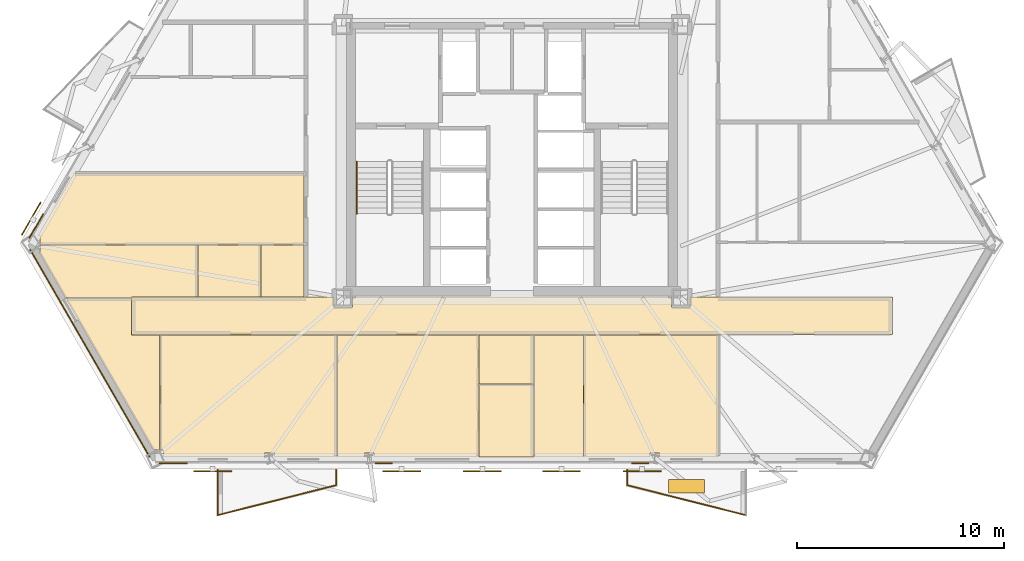
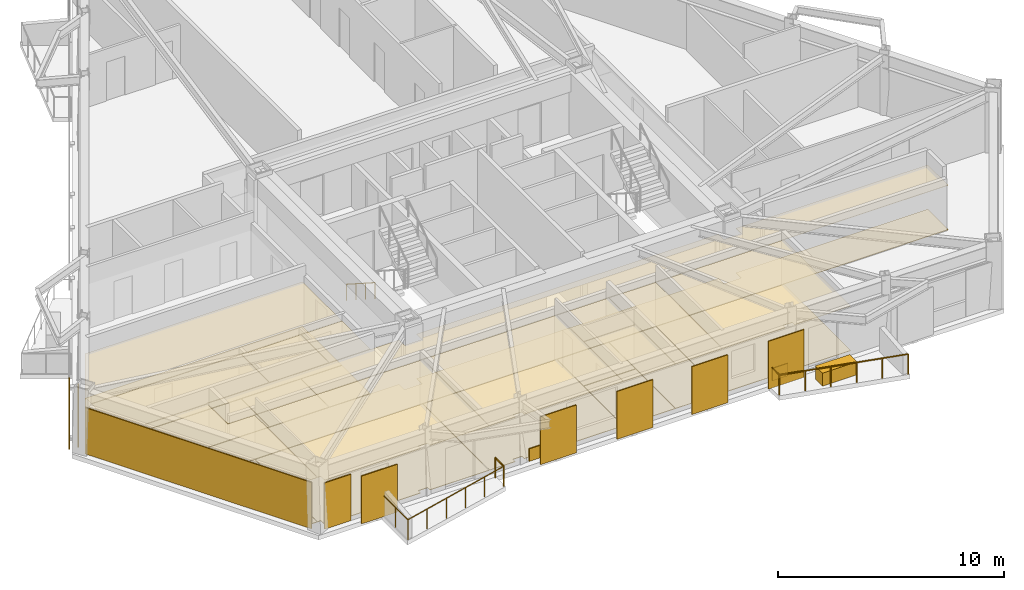
# One storey, part 7 of 10: 30 coverings, 6 railings, 6 shading devices.
"""IFC4 building model written with IfcOpenShell, lengths in metres."""

import ifcopenshell
import ifcopenshell.guid

model = None  # the IFC model being written
_history = None  # IfcOwnerHistory: only IFC2X3 demands one
_inside = {}  # id of a spatial element -> (the spatial element, [elements in it])
_under = {}  # id of a project, library or spatial element -> (it, [spatial elements below it])
_declared = {}  # id of a project -> (the project, [libraries it declares])
_typed = {}  # id of a type object -> (the type object, [elements of that type])
_made_of = {}  # id of a material, layer set ... -> (it, [elements and type objects made of it])


def new_model(schema):
    """Start an empty IFC model of exactly this schema.

    Asked for "IFC4X3", IfcOpenShell would pick the latest addendum, in which some entities
    have other attributes; the version numbers below select the first issue.
    IFC2X3 requires an IfcOwnerHistory on every rooted entity: one is made here for all.
    """
    global model, _history
    if schema == "IFC4X3":
        model = ifcopenshell.file(schema_version=(4, 3, 0, 0))
    else:
        model = ifcopenshell.file(schema=schema)
    _inside.clear()
    _under.clear()
    _declared.clear()
    _typed.clear()
    _made_of.clear()
    _history = None
    if model.schema == "IFC2X3":
        org = make("IfcOrganization", Name="unknown")
        user = make(
            "IfcPersonAndOrganization",
            ThePerson=make("IfcPerson", FamilyName="unknown"),
            TheOrganization=org,
        )
        app = make(
            "IfcApplication",
            ApplicationDeveloper=org,
            Version="unknown",
            ApplicationFullName="unknown",
            ApplicationIdentifier="unknown",
        )
        _history = make(
            "IfcOwnerHistory",
            OwningUser=user,
            OwningApplication=app,
            ChangeAction="ADDED",
            CreationDate=0,
        )
    return model


def make(cls, **values):
    """One entity of the class cls with the attributes given. An attribute that is None is left unset."""
    return model.create_entity(
        cls, **{name: value for name, value in values.items() if value is not None}
    )


def rooted(cls, **values):
    """An entity with a GlobalId (a new one), such as an element, a storey or a relation."""
    return make(cls, GlobalId=ifcopenshell.guid.new(), OwnerHistory=_history, **values)


def si_unit(unit_type, name, prefix=None):
    """IfcSIUnit, for example si_unit("LENGTHUNIT", "METRE", prefix="MILLI")."""
    return make("IfcSIUnit", UnitType=unit_type, Prefix=prefix, Name=name)


def assignment(units):
    """IfcUnitAssignment: the units of a project."""
    return None if units is None else make("IfcUnitAssignment", Units=units)


def point(xyz):
    """IfcCartesianPoint."""
    return None if xyz is None else make("IfcCartesianPoint", Coordinates=xyz)


def direction(xyz):
    """IfcDirection."""
    return None if xyz is None else make("IfcDirection", DirectionRatios=xyz)


def frame(location, z_axis=None, x_axis=None):
    """IfcAxis2Placement3D, a coordinate frame: its origin and axes. An axis left out is left unset."""
    return make(
        "IfcAxis2Placement3D",
        Location=point(location),
        Axis=direction(z_axis),
        RefDirection=direction(x_axis),
    )


def frame_2d(location, x_axis=None):
    """IfcAxis2Placement2D, a coordinate frame in the plane: its origin and x axis."""
    return make(
        "IfcAxis2Placement2D", Location=point(location), RefDirection=direction(x_axis)
    )


def origin():
    """The frame at (0, 0, 0) with its axes left unset."""
    return frame((0.0, 0.0, 0.0))


def origin_2d():
    """The frame at (0, 0) in the plane with its x axis left unset."""
    return frame_2d((0.0, 0.0))


def place(relative_to, where):
    """IfcLocalPlacement: puts the frame where relative to a parent placement (None: the world)."""
    return make(
        "IfcLocalPlacement", PlacementRelTo=relative_to, RelativePlacement=where
    )


def context(
    kind, dimensions, precision=None, world=None, true_north=None, identifier=None
):
    """IfcGeometricRepresentationContext, for example the 3D "Model" context."""
    return make(
        "IfcGeometricRepresentationContext",
        ContextIdentifier=identifier,
        ContextType=kind,
        CoordinateSpaceDimension=dimensions,
        Precision=precision,
        WorldCoordinateSystem=world,
        TrueNorth=true_north,
    )


def subcontext(parent, identifier, kind, view, scale=None):
    """IfcGeometricRepresentationSubContext, for example "Body" below "Model"."""
    return make(
        "IfcGeometricRepresentationSubContext",
        ContextIdentifier=identifier,
        ContextType=kind,
        ParentContext=parent,
        TargetScale=scale,
        TargetView=view,
    )


def project(units=None, contexts=None):
    """IfcProject with its units and contexts."""
    return rooted(
        "IfcProject",
        Name="project",
        RepresentationContexts=contexts,
        UnitsInContext=assignment(units),
    )


def spatial(cls, under=None, at=None, **own):
    """A site, building, storey or space (cls), placed at a placement, below another one or the project."""
    s = rooted(cls, ObjectPlacement=at, **own)
    if under is not None:
        _under.setdefault(under.id(), (under, []))[1].append(s)
    return s


def polyline(points):
    """IfcPolyline through the points."""
    return make("IfcPolyline", Points=[point(p) for p in points])


def profile(cls, at=None, kind="AREA", **sizes):
    """A parametric profile (cls). Its sizes go by their IFC names, for example OverallWidth=200.0."""
    return make(cls, ProfileType=kind, Position=at, **sizes)


def rectangle(**sizes):
    """IfcRectangleProfileDef."""
    return profile("IfcRectangleProfileDef", **sizes)


def circle(**sizes):
    """IfcCircleProfileDef."""
    return profile("IfcCircleProfileDef", **sizes)


def outline(outer, holes=None, kind="AREA"):
    """IfcArbitraryClosedProfileDef: a profile drawn as a closed curve; with holes, ...WithVoids."""
    if holes is None:
        return make("IfcArbitraryClosedProfileDef", ProfileType=kind, OuterCurve=outer)
    return make(
        "IfcArbitraryProfileDefWithVoids",
        ProfileType=kind,
        OuterCurve=outer,
        InnerCurves=holes,
    )


def extrude(swept, where, along, depth):
    """IfcExtrudedAreaSolid: the profile swept, set in the frame where, extruded along a direction by depth."""
    return make(
        "IfcExtrudedAreaSolid",
        SweptArea=swept,
        Position=where,
        ExtrudedDirection=direction(along),
        Depth=depth,
    )


def shape(context_of_items, identifier, shape_type, items):
    """IfcShapeRepresentation: the items that make up one representation, for example the "Body"."""
    return make(
        "IfcShapeRepresentation",
        ContextOfItems=context_of_items,
        RepresentationIdentifier=identifier,
        RepresentationType=shape_type,
        Items=items,
    )


def material(Name=None, Category=None):
    """IfcMaterial."""
    return make("IfcMaterial", Name=Name, Category=Category)


def layer(
    of_material, thickness, ventilated=None, Name=None, Category=None, Priority=None
):
    """IfcMaterialLayer: one layer of a wall or slab, of a material (None: an air gap)."""
    return make(
        "IfcMaterialLayer",
        Material=of_material,
        LayerThickness=thickness,
        IsVentilated=ventilated,
        Name=Name,
        Category=Category,
        Priority=Priority,
    )


def layer_set(layers, Name=None):
    """IfcMaterialLayerSet."""
    return make("IfcMaterialLayerSet", MaterialLayers=layers, LayerSetName=Name)


def made_of(thing, what):
    """Note that an element or type object is made of a material, layer set ...; save() writes the relation."""
    if what is not None:
        _made_of.setdefault(what.id(), (what, []))[1].append(thing)
    return thing


def type_object(cls, material=None, **own):
    """A type object (cls), such as IfcWallType, which elements share."""
    return made_of(rooted(cls, **own), material)


def element(
    cls,
    number,
    at=None,
    inside=None,
    cuts=None,
    type_object=None,
    material=None,
    context=None,
    identifier="Body",
    shape_type=None,
    held_by="IfcProductDefinitionShape",
    body=None,
    shapes=None,
    **own,
):
    """One element of the class cls, such as IfcWall. Its Tag is "e" and its number.

    at: its placement. inside: the storey or other place that contains it. cuts: it is an
    opening in that element (IfcRelVoidsElement). A single representation is given by context,
    identifier, shape_type and body (its items); several are given by shapes. held_by: the class
    of the entity that holds the representations. save() writes the other relations.
    """
    e = rooted(cls, Tag="e%d" % number, ObjectPlacement=at, **own)
    if body is not None:
        shapes = [shape(context, identifier, shape_type, body)]
    if shapes is not None:
        e.Representation = make(held_by, Representations=shapes)
    if inside is not None:
        _inside.setdefault(inside.id(), (inside, []))[1].append(e)
    if cuts is not None:
        rooted(
            "IfcRelVoidsElement", RelatingBuildingElement=cuts, RelatedOpeningElement=e
        )
    if type_object is not None:
        _typed.setdefault(type_object.id(), (type_object, []))[1].append(e)
    return made_of(e, material)


def aggregate(whole, parts):
    """IfcRelAggregates: a whole, such as a stair, and the parts it consists of."""
    return rooted("IfcRelAggregates", RelatingObject=whole, RelatedObjects=parts)


def save(model, path):
    """Write the relations noted so far, then the file.

    IfcRelAggregates (storeys below a building ...), IfcRelContainedInSpatialStructure (elements
    in a storey), IfcRelDefinesByType, IfcRelAssociatesMaterial and IfcRelDeclares: one each for
    every whole, place, type object, material and project.
    """
    for whole, parts in _under.values():
        aggregate(whole, parts)
    for where, things in _inside.values():
        rooted(
            "IfcRelContainedInSpatialStructure",
            RelatedElements=things,
            RelatingStructure=where,
        )
    for kind, things in _typed.values():
        rooted("IfcRelDefinesByType", RelatedObjects=things, RelatingType=kind)
    for what, things in _made_of.values():
        rooted("IfcRelAssociatesMaterial", RelatedObjects=things, RelatingMaterial=what)
    for by, libraries in _declared.values():
        rooted("IfcRelDeclares", RelatingContext=by, RelatedDefinitions=libraries)
    model.write(path)


model = new_model("IFC4")

# Units and contexts
model_context = context("Model", 3, precision=1e-05, world=origin(), true_north=direction((0.0, 1.0)))
body_context = subcontext(model_context, "Body", "Model", "MODEL_VIEW")
ifc_project = project(units=[si_unit("LENGTHUNIT", "METRE"), si_unit("AREAUNIT", "SQUARE_METRE"), si_unit("VOLUMEUNIT", "CUBIC_METRE"), si_unit("PLANEANGLEUNIT", "RADIAN"), si_unit("MASSUNIT", "GRAM", prefix="KILO")], contexts=[model_context])

# Site, building, storey
site_placement = place(None, origin())
site = spatial("IfcSite", under=ifc_project, at=site_placement, CompositionType="ELEMENT")
building_placement = place(site_placement, origin())
building = spatial("IfcBuilding", under=site, at=building_placement, Name="Oramaril Tower", CompositionType="ELEMENT")
storey_placement = place(building_placement, frame((0.0, 0.0, 96.89990234375)))
storey = spatial("IfcBuildingStorey", under=building, at=storey_placement, Name="L25", CompositionType="ELEMENT", Elevation=96.89990234375)

# Coverings
ifc_material_1 = material(Name="Mineral Fibre Acoustic Ceiling")
ifc_layer_1 = layer(ifc_material_1, 0.02001953125)
ifc_layer_set_1 = layer_set([ifc_layer_1], Name="CVT-CEIL")
covering_type_1 = type_object("IfcCoveringType", Name="CVT-CEIL", PredefinedType="CEILING", material=ifc_layer_set_1)
covering_1_placement = place(storey_placement, frame((0.0, 0.0, 2.400146484375)))
element("IfcCovering", 1, at=covering_1_placement, inside=storey, type_object=covering_type_1, Name="L25 Acoustic Suspended Ceiling 1", PredefinedType="CEILING", context=body_context, shape_type="SweptSolid", body=[
    extrude(outline(polyline([(28.905029296875, 10.554931640625), (29.794921875, 10.554931640625), (29.794921875, 11.030029296875), (45.205078125, 11.030029296875), (45.205078125, 10.554931640625), (46.094970703125, 10.554931640625), (46.094970703125, 11.030029296875), (55.8798828125, 11.030029296875), (55.8798828125, 9.219970703125), (19.1201171875, 9.219970703125), (19.1201171875, 11.030029296875), (28.905029296875, 11.030029296875), (28.905029296875, 10.554931640625)])), origin(), (0.0, 0.0, 1.0), 0.02001953125),
])
covering_2_placement = place(storey_placement, frame((0.0, 0.0, 2.400146484375)))
element("IfcCovering", 2, at=covering_2_placement, inside=storey, type_object=covering_type_1, Name="L25 Acoustic Suspended Ceiling 5", PredefinedType="CEILING", context=body_context, shape_type="SweptSolid", body=[
    extrude(outline(polyline([(26.014404296875, 3.50927734375), (25.54150390625, 3.50927734375), (25.54150390625, 3.306640625), (20.651611328125, 3.306640625), (20.651611328125, 3.65625), (20.49462890625, 3.65625), (20.49462890625, 9.199951171875), (29.0419921875, 9.199951171875), (29.0419921875, 3.306640625), (26.014404296875, 3.306640625), (26.014404296875, 3.50927734375)])), origin(), (0.0, 0.0, 1.0), 0.02001953125),
])
covering_3_placement = place(storey_placement, frame((0.0, 0.0, 2.400146484375)))
element("IfcCovering", 3, at=covering_3_placement, inside=storey, type_object=covering_type_1, Name="L25 Acoustic Suspended Ceiling 6", PredefinedType="CEILING", context=body_context, shape_type="SweptSolid", body=[
    extrude(outline(polyline([(20.141845703125, 3.65625), (15.90673828125, 10.991943359375), (19.10009765625, 10.991943359375), (19.10009765625, 9.219970703125), (19.10009765625, 9.218017578125), (19.100341796875, 9.216064453125), (19.100830078125, 9.214111328125), (19.1015625, 9.21240234375), (19.102294921875, 9.210693359375), (19.103515625, 9.208984375), (19.1044921875, 9.207275390625), (19.10595703125, 9.205810546875), (19.107421875, 9.20458984375), (19.10888671875, 9.203369140625), (19.110595703125, 9.202392578125), (19.1123046875, 9.201416015625), (19.1142578125, 9.200927734375), (19.1162109375, 9.200439453125), (19.117919921875, 9.2001953125), (19.1201171875, 9.199951171875), (20.474609375, 9.199951171875), (20.474609375, 3.65625), (20.141845703125, 3.65625)])), origin(), (0.0, 0.0, 1.0), 0.02001953125),
])
covering_4_placement = place(storey_placement, frame((0.0, 0.0, 2.400146484375)))
element("IfcCovering", 4, at=covering_4_placement, inside=storey, type_object=covering_type_1, Name="L25 Acoustic Suspended Ceiling 7", PredefinedType="CEILING", context=body_context, shape_type="SweptSolid", body=[
    extrude(outline(polyline([(35.882080078125, 3.306640625), (30.835693359375, 3.306640625), (30.835693359375, 3.50927734375), (30.373779296875, 3.50927734375), (30.373779296875, 3.306640625), (29.06201171875, 3.306640625), (29.06201171875, 9.199951171875), (35.882080078125, 9.199951171875), (35.882080078125, 3.306640625)])), origin(), (0.0, 0.0, 1.0), 0.02001953125),
])
covering_5_placement = place(storey_placement, frame((0.0, 0.0, 2.400146484375)))
element("IfcCovering", 5, at=covering_5_placement, inside=storey, type_object=covering_type_1, Name="L25 Acoustic Suspended Ceiling 8", PredefinedType="CEILING", context=body_context, shape_type="SweptSolid", body=[
    extrude(outline(polyline([(38.5419921875, 6.822021484375), (38.5419921875, 3.306640625), (35.902099609375, 3.306640625), (35.902099609375, 6.822021484375), (38.5419921875, 6.822021484375)])), origin(), (0.0, 0.0, 1.0), 0.02001953125),
])
covering_6_placement = place(storey_placement, frame((0.0, 0.0, 2.400146484375)))
element("IfcCovering", 6, at=covering_6_placement, inside=storey, type_object=covering_type_1, Name="L25 Acoustic Suspended Ceiling 9", PredefinedType="CEILING", context=body_context, shape_type="SweptSolid", body=[
    extrude(outline(polyline([(38.5419921875, 6.842041015625), (35.902099609375, 6.842041015625), (35.902099609375, 9.199951171875), (38.5419921875, 9.199951171875), (38.5419921875, 6.842041015625)])), origin(), (0.0, 0.0, 1.0), 0.02001953125),
])
covering_7_placement = place(storey_placement, frame((0.0, 0.0, 2.400146484375)))
element("IfcCovering", 7, at=covering_7_placement, inside=storey, type_object=covering_type_1, Name="L25 Acoustic Suspended Ceiling 10", PredefinedType="CEILING", context=body_context, shape_type="SweptSolid", body=[
    extrude(outline(polyline([(44.626220703125, 3.50927734375), (44.164306640625, 3.50927734375), (44.164306640625, 3.306640625), (40.964111328125, 3.306640625), (40.964111328125, 9.199951171875), (47.491943359375, 9.199951171875), (47.491943359375, 3.306640625), (44.626220703125, 3.306640625), (44.626220703125, 3.50927734375)])), origin(), (0.0, 0.0, 1.0), 0.02001953125),
])
covering_8_placement = place(storey_placement, frame((0.0, 0.0, 2.400146484375)))
element("IfcCovering", 8, at=covering_8_placement, inside=storey, type_object=covering_type_1, Name="L25 Acoustic Suspended Ceiling 11", PredefinedType="CEILING", context=body_context, shape_type="SweptSolid", body=[
    extrude(outline(polyline([(38.56201171875, 3.306640625), (38.56201171875, 6.822021484375), (38.56201171875, 6.823974609375), (38.5615234375, 6.825927734375), (38.56103515625, 6.827880859375), (38.560546875, 6.82958984375), (38.5595703125, 6.831298828125), (38.559326171875, 6.83203125), (38.5595703125, 6.83251953125), (38.560546875, 6.834228515625), (38.56103515625, 6.836181640625), (38.5615234375, 6.838134765625), (38.56201171875, 6.840087890625), (38.56201171875, 6.842041015625), (38.56201171875, 9.199951171875), (40.944091796875, 9.199951171875), (40.944091796875, 3.306640625), (38.56201171875, 3.306640625)])), origin(), (0.0, 0.0, 1.0), 0.02001953125),
])
covering_9_placement = place(storey_placement, frame((0.0, 0.0, 2.400146484375)))
element("IfcCovering", 9, at=covering_9_placement, inside=storey, type_object=covering_type_1, Name="L25 Acoustic Suspended Ceiling 12", PredefinedType="CEILING", context=body_context, shape_type="SweptSolid", body=[
    extrude(outline(polyline([(27.449951171875, 17.0419921875), (27.449951171875, 13.570068359375), (14.6796875, 13.570068359375), (14.6796875, 14.009033203125), (14.59228515625, 14.009033203125), (16.34326171875, 17.0419921875), (27.449951171875, 17.0419921875)])), origin(), (0.0, 0.0, 1.0), 0.02001953125),
])
covering_10_placement = place(storey_placement, frame((0.0, 0.0, 2.400146484375)))
element("IfcCovering", 10, at=covering_10_placement, inside=storey, type_object=covering_type_1, Name="L25 Acoustic Suspended Ceiling 13", PredefinedType="CEILING", context=body_context, shape_type="SweptSolid", body=[
    extrude(outline(polyline([(14.6796875, 13.190673828125), (14.6796875, 13.550048828125), (22.294921875, 13.550048828125), (22.294921875, 11.050048828125), (19.1201171875, 11.050048828125), (19.117919921875, 11.0498046875), (19.1162109375, 11.049560546875), (19.1142578125, 11.049072265625), (19.1123046875, 11.048583984375), (19.110595703125, 11.047607421875), (19.10888671875, 11.046630859375), (19.107421875, 11.04541015625), (19.10595703125, 11.044189453125), (19.1044921875, 11.042724609375), (19.103515625, 11.041015625), (19.102294921875, 11.039306640625), (19.1015625, 11.03759765625), (19.100830078125, 11.035888671875), (19.100341796875, 11.033935546875), (19.10009765625, 11.031982421875), (19.10009765625, 11.030029296875), (19.10009765625, 11.011962890625), (15.90673828125, 11.011962890625), (15.90478515625, 11.011962890625), (15.90283203125, 11.01171875), (15.90087890625, 11.010986328125), (15.89892578125, 11.010498046875), (15.897216796875, 11.009521484375), (15.896728515625, 11.00927734375), (14.637451171875, 13.190673828125), (14.6796875, 13.190673828125)])), origin(), (0.0, 0.0, 1.0), 0.02001953125),
])
covering_11_placement = place(storey_placement, frame((0.0, 0.0, 2.400146484375)))
element("IfcCovering", 11, at=covering_11_placement, inside=storey, type_object=covering_type_1, Name="L25 Acoustic Suspended Ceiling 14", PredefinedType="CEILING", context=body_context, shape_type="SweptSolid", body=[
    extrude(outline(polyline([(25.344970703125, 11.050048828125), (22.31494140625, 11.050048828125), (22.31494140625, 13.550048828125), (25.344970703125, 13.550048828125), (25.344970703125, 11.050048828125)])), origin(), (0.0, 0.0, 1.0), 0.02001953125),
])
covering_12_placement = place(storey_placement, frame((0.0, 0.0, 2.400146484375)))
element("IfcCovering", 12, at=covering_12_placement, inside=storey, type_object=covering_type_1, Name="L25 Acoustic Suspended Ceiling 15", PredefinedType="CEILING", context=body_context, shape_type="SweptSolid", body=[
    extrude(outline(polyline([(25.364990234375, 13.550048828125), (27.449951171875, 13.550048828125), (27.449951171875, 11.050048828125), (25.364990234375, 11.050048828125), (25.364990234375, 13.550048828125)])), origin(), (0.0, 0.0, 1.0), 0.02001953125),
])
ifc_material_2 = material(Name="Warm Cream Limestone", Category="masonry")
ifc_layer_2 = layer(ifc_material_2, 0.050048828125)
ifc_layer_set_2 = layer_set([ifc_layer_2], Name="CVT-CLD")
covering_type_2 = type_object("IfcCoveringType", Name="CVT-CLD", PredefinedType="CLADDING", material=ifc_layer_set_2)
covering_13_placement = place(storey_placement, frame((17.1005859375, 8.322509765625, 0.0400390625), z_axis=(0.0, 0.0, 1.0), x_axis=(0.499992442484, -0.866029767075, 0.0)))
element("IfcCovering", 13, at=covering_13_placement, inside=storey, type_object=covering_type_2, Name="L25 Warm Cream Limestone Cladding", PredefinedType="CLADDING", context=body_context, shape_type="SweptSolid", body=[
    extrude(rectangle(XDim=11.5556640625, YDim=0.050048828125, at=origin_2d()), origin(), (0.0, 0.0, 1.0), 2.498046875),
])
covering_14_placement = place(storey_placement, frame((21.131591796875, 3.005615234375, 0.0400390625), z_axis=(0.0, 0.0, 1.0), x_axis=(1.0, 0.0, 0.0)))
element("IfcCovering", 14, at=covering_14_placement, inside=storey, type_object=covering_type_2, Name="L25 Warm Cream Limestone Cladding", PredefinedType="CLADDING", context=body_context, shape_type="SweptSolid", body=[
    extrude(rectangle(XDim=1.35009765625, YDim=0.050048828125, at=origin_2d()), origin(), (0.0, 0.0, 1.0), 2.498046875),
])
for number, where, z_axis, x_axis, name in (
    (15, (31.30126953125, 3.005615234375, 0.0400390625), (0.0, 0.0, 1.0), (1.0, 0.0, 0.0), "L25 Warm Cream Limestone Spandrel Cladding"),
    (16, (43.69873046875, 3.005615234375, 0.0400390625), (0.0, 0.0, 1.0), (1.0, 0.0, 0.0), "L25 Warm Cream Limestone Spandrel Cladding"),
):
    element("IfcCovering", number, at=place(storey_placement, frame(where, z_axis=z_axis, x_axis=x_axis)), inside=storey, type_object=covering_type_2, Name=name, PredefinedType="CLADDING", context=body_context, shape_type="SweptSolid", body=[
        extrude(rectangle(XDim=0.800048828125, YDim=0.050048828125, at=origin_2d()), origin(), (0.0, 0.0, 1.0), 0.679931640625),
    ])
covering_15_placement = place(storey_placement, frame((14.51171875, 14.4716796875, 0.0400390625), z_axis=(0.0, 0.0, 1.0), x_axis=(-0.5, -0.866025403784, 0.0)))
element("IfcCovering", 17, at=covering_15_placement, inside=storey, type_object=covering_type_2, Name="L25 Warm Cream Limestone Cladding", PredefinedType="CLADDING", context=body_context, shape_type="SweptSolid", body=[
    extrude(rectangle(XDim=1.35009765625, YDim=0.050048828125, at=origin_2d()), origin(), (0.0, 0.0, 1.0), 2.498046875),
])
covering_16_placement = place(storey_placement, frame((45.93408203125, 1.902099609375, 0.0), z_axis=(0.0, 0.0, 1.0), x_axis=(1.0, 0.0, 0.0)))
element("IfcCovering", 18, at=covering_16_placement, inside=storey, type_object=covering_type_2, Name="L25 Structural Tree Planter Box L25-BAL-S2", PredefinedType="CLADDING", context=body_context, shape_type="SweptSolid", body=[
    extrude(rectangle(XDim=1.75, YDim=0.64990234375, at=origin_2d()), origin(), (0.0, 0.0, 1.0), 0.699951171875),
])
ifc_material_3 = material(Name="Honed Quartzite Stone Flooring", Category="masonry")
ifc_layer_3 = layer(ifc_material_3, 0.02490234375)
ifc_layer_set_3 = layer_set([ifc_layer_3], Name="CVT-FLR")
covering_type_3 = type_object("IfcCoveringType", Name="CVT-FLR", PredefinedType="FLOORING", material=ifc_layer_set_3)
covering_17_placement = place(storey_placement, origin())
element("IfcCovering", 19, at=covering_17_placement, inside=storey, type_object=covering_type_3, Name="L25 Honed Stone Floor Finish 1", PredefinedType="FLOORING", context=body_context, shape_type="SweptSolid", body=[
    extrude(outline(polyline([(28.905029296875, 10.554931640625), (29.794921875, 10.554931640625), (29.794921875, 11.030029296875), (45.205078125, 11.030029296875), (45.205078125, 10.554931640625), (46.094970703125, 10.554931640625), (46.094970703125, 11.030029296875), (55.8798828125, 11.030029296875), (55.8798828125, 9.219970703125), (19.1201171875, 9.219970703125), (19.1201171875, 11.030029296875), (28.905029296875, 11.030029296875), (28.905029296875, 10.554931640625)])), origin(), (0.0, 0.0, 1.0), 0.025146484375),
])
covering_18_placement = place(storey_placement, origin())
element("IfcCovering", 20, at=covering_18_placement, inside=storey, type_object=covering_type_3, Name="L25 Honed Stone Floor Finish 5", PredefinedType="FLOORING", context=body_context, shape_type="SweptSolid", body=[
    extrude(outline(polyline([(26.014404296875, 3.50927734375), (25.54150390625, 3.50927734375), (25.54150390625, 3.306640625), (20.651611328125, 3.306640625), (20.651611328125, 3.65625), (20.49462890625, 3.65625), (20.49462890625, 9.199951171875), (29.0419921875, 9.199951171875), (29.0419921875, 3.306640625), (26.014404296875, 3.306640625), (26.014404296875, 3.50927734375)])), origin(), (0.0, 0.0, 1.0), 0.025146484375),
])
covering_19_placement = place(storey_placement, origin())
element("IfcCovering", 21, at=covering_19_placement, inside=storey, type_object=covering_type_3, Name="L25 Honed Stone Floor Finish 6", PredefinedType="FLOORING", context=body_context, shape_type="SweptSolid", body=[
    extrude(outline(polyline([(20.141845703125, 3.65625), (15.90673828125, 10.991943359375), (19.10009765625, 10.991943359375), (19.10009765625, 9.219970703125), (19.10009765625, 9.218017578125), (19.100341796875, 9.216064453125), (19.100830078125, 9.214111328125), (19.1015625, 9.21240234375), (19.102294921875, 9.210693359375), (19.103515625, 9.208984375), (19.1044921875, 9.207275390625), (19.10595703125, 9.205810546875), (19.107421875, 9.20458984375), (19.10888671875, 9.203369140625), (19.110595703125, 9.202392578125), (19.1123046875, 9.201416015625), (19.1142578125, 9.200927734375), (19.1162109375, 9.200439453125), (19.117919921875, 9.2001953125), (19.1201171875, 9.199951171875), (20.474609375, 9.199951171875), (20.474609375, 3.65625), (20.141845703125, 3.65625)])), origin(), (0.0, 0.0, 1.0), 0.025146484375),
])
covering_20_placement = place(storey_placement, origin())
element("IfcCovering", 22, at=covering_20_placement, inside=storey, type_object=covering_type_3, Name="L25 Honed Stone Floor Finish 7", PredefinedType="FLOORING", context=body_context, shape_type="SweptSolid", body=[
    extrude(outline(polyline([(35.882080078125, 3.306640625), (30.835693359375, 3.306640625), (30.835693359375, 3.50927734375), (30.373779296875, 3.50927734375), (30.373779296875, 3.306640625), (29.06201171875, 3.306640625), (29.06201171875, 9.199951171875), (35.882080078125, 9.199951171875), (35.882080078125, 3.306640625)])), origin(), (0.0, 0.0, 1.0), 0.025146484375),
])
covering_21_placement = place(storey_placement, origin())
element("IfcCovering", 23, at=covering_21_placement, inside=storey, type_object=covering_type_3, Name="L25 Honed Stone Floor Finish 8", PredefinedType="FLOORING", context=body_context, shape_type="SweptSolid", body=[
    extrude(outline(polyline([(38.5419921875, 6.822021484375), (38.5419921875, 3.306640625), (35.902099609375, 3.306640625), (35.902099609375, 6.822021484375), (38.5419921875, 6.822021484375)])), origin(), (0.0, 0.0, 1.0), 0.025146484375),
])
covering_22_placement = place(storey_placement, origin())
element("IfcCovering", 24, at=covering_22_placement, inside=storey, type_object=covering_type_3, Name="L25 Honed Stone Floor Finish 9", PredefinedType="FLOORING", context=body_context, shape_type="SweptSolid", body=[
    extrude(outline(polyline([(38.5419921875, 6.842041015625), (35.902099609375, 6.842041015625), (35.902099609375, 9.199951171875), (38.5419921875, 9.199951171875), (38.5419921875, 6.842041015625)])), origin(), (0.0, 0.0, 1.0), 0.025146484375),
])
covering_23_placement = place(storey_placement, origin())
element("IfcCovering", 25, at=covering_23_placement, inside=storey, type_object=covering_type_3, Name="L25 Honed Stone Floor Finish 10", PredefinedType="FLOORING", context=body_context, shape_type="SweptSolid", body=[
    extrude(outline(polyline([(44.626220703125, 3.50927734375), (44.164306640625, 3.50927734375), (44.164306640625, 3.306640625), (40.964111328125, 3.306640625), (40.964111328125, 9.199951171875), (47.491943359375, 9.199951171875), (47.491943359375, 3.306640625), (44.626220703125, 3.306640625), (44.626220703125, 3.50927734375)])), origin(), (0.0, 0.0, 1.0), 0.025146484375),
])
covering_24_placement = place(storey_placement, origin())
element("IfcCovering", 26, at=covering_24_placement, inside=storey, type_object=covering_type_3, Name="L25 Honed Stone Floor Finish 11", PredefinedType="FLOORING", context=body_context, shape_type="SweptSolid", body=[
    extrude(outline(polyline([(38.56201171875, 3.306640625), (38.56201171875, 6.822021484375), (38.56201171875, 6.823974609375), (38.5615234375, 6.825927734375), (38.56103515625, 6.827880859375), (38.560546875, 6.82958984375), (38.5595703125, 6.831298828125), (38.559326171875, 6.83203125), (38.5595703125, 6.83251953125), (38.560546875, 6.834228515625), (38.56103515625, 6.836181640625), (38.5615234375, 6.838134765625), (38.56201171875, 6.840087890625), (38.56201171875, 6.842041015625), (38.56201171875, 9.199951171875), (40.944091796875, 9.199951171875), (40.944091796875, 3.306640625), (38.56201171875, 3.306640625)])), origin(), (0.0, 0.0, 1.0), 0.025146484375),
])
covering_25_placement = place(storey_placement, origin())
element("IfcCovering", 27, at=covering_25_placement, inside=storey, type_object=covering_type_3, Name="L25 Honed Stone Floor Finish 12", PredefinedType="FLOORING", context=body_context, shape_type="SweptSolid", body=[
    extrude(outline(polyline([(27.449951171875, 17.0419921875), (27.449951171875, 13.570068359375), (14.6796875, 13.570068359375), (14.6796875, 14.009033203125), (14.59228515625, 14.009033203125), (16.34326171875, 17.0419921875), (27.449951171875, 17.0419921875)])), origin(), (0.0, 0.0, 1.0), 0.025146484375),
])
covering_26_placement = place(storey_placement, origin())
element("IfcCovering", 28, at=covering_26_placement, inside=storey, type_object=covering_type_3, Name="L25 Honed Stone Floor Finish 13", PredefinedType="FLOORING", context=body_context, shape_type="SweptSolid", body=[
    extrude(outline(polyline([(14.6796875, 13.190673828125), (14.6796875, 13.550048828125), (22.294921875, 13.550048828125), (22.294921875, 11.050048828125), (19.1201171875, 11.050048828125), (19.117919921875, 11.0498046875), (19.1162109375, 11.049560546875), (19.1142578125, 11.049072265625), (19.1123046875, 11.048583984375), (19.110595703125, 11.047607421875), (19.10888671875, 11.046630859375), (19.107421875, 11.04541015625), (19.10595703125, 11.044189453125), (19.1044921875, 11.042724609375), (19.103515625, 11.041015625), (19.102294921875, 11.039306640625), (19.1015625, 11.03759765625), (19.100830078125, 11.035888671875), (19.100341796875, 11.033935546875), (19.10009765625, 11.031982421875), (19.10009765625, 11.030029296875), (19.10009765625, 11.011962890625), (15.90673828125, 11.011962890625), (15.90478515625, 11.011962890625), (15.90283203125, 11.01171875), (15.90087890625, 11.010986328125), (15.89892578125, 11.010498046875), (15.897216796875, 11.009521484375), (15.896728515625, 11.00927734375), (14.637451171875, 13.190673828125), (14.6796875, 13.190673828125)])), origin(), (0.0, 0.0, 1.0), 0.025146484375),
])
covering_27_placement = place(storey_placement, origin())
element("IfcCovering", 29, at=covering_27_placement, inside=storey, type_object=covering_type_3, Name="L25 Honed Stone Floor Finish 14", PredefinedType="FLOORING", context=body_context, shape_type="SweptSolid", body=[
    extrude(outline(polyline([(25.344970703125, 11.050048828125), (22.31494140625, 11.050048828125), (22.31494140625, 13.550048828125), (25.344970703125, 13.550048828125), (25.344970703125, 11.050048828125)])), origin(), (0.0, 0.0, 1.0), 0.025146484375),
])
covering_28_placement = place(storey_placement, origin())
element("IfcCovering", 30, at=covering_28_placement, inside=storey, type_object=covering_type_3, Name="L25 Honed Stone Floor Finish 15", PredefinedType="FLOORING", context=body_context, shape_type="SweptSolid", body=[
    extrude(outline(polyline([(25.364990234375, 13.550048828125), (27.449951171875, 13.550048828125), (27.449951171875, 11.050048828125), (25.364990234375, 11.050048828125), (25.364990234375, 13.550048828125)])), origin(), (0.0, 0.0, 1.0), 0.025146484375),
])

# Railings
ifc_material_4 = material(Name="Stainless Steel 316L", Category="steel")
railing_type_1 = type_object("IfcRailingType", Name="RLT-GRD", PredefinedType="GUARDRAIL", material=ifc_material_4)
railing_1_placement = place(storey_placement, frame((29.005859375, 2.690673828125, 0.0)))
element("IfcRailing", 31, at=railing_1_placement, inside=storey, type_object=railing_type_1, Name="L25 Balcony Guardrail L25-BAL-S1.1", PredefinedType="GUARDRAIL", context=body_context, shape_type="SweptSolid", body=[
    extrude(circle(Radius=0.02392578125, at=origin_2d()), frame((0.0, 0.0, 1.076171875), z_axis=(0.0, -1.0, 0.0), x_axis=(1.0, 0.0, 0.0)), (0.0, 0.0, 1.0), 0.7421875),
    extrude(circle(Radius=0.02099609375, at=origin_2d()), origin(), (0.0, 0.0, 1.0), 1.052001953125),
    extrude(circle(Radius=0.02099609375, at=origin_2d()), frame((0.0, -0.7421875, 0.0)), (0.0, 0.0, 1.0), 1.052001953125),
])
railing_2_placement = place(storey_placement, frame((29.005859375, 1.948486328125, 0.0)))
element("IfcRailing", 32, at=railing_2_placement, inside=storey, type_object=railing_type_1, Name="L25 Balcony Guardrail L25-BAL-S1.2", PredefinedType="GUARDRAIL", context=body_context, shape_type="SweptSolid", body=[
    extrude(circle(Radius=0.02392578125, at=origin_2d()), frame((0.0, 0.0, 1.076171875), z_axis=(-0.969443611257, -0.245314256807, 0.0), x_axis=(0.245314256807, -0.969443611257, 0.0)), (0.0, 0.0, 1.0), 5.91064453125),
    extrude(circle(Radius=0.02099609375, at=origin_2d()), origin(), (0.0, 0.0, 1.0), 1.052001953125),
    extrude(circle(Radius=0.02099609375, at=origin_2d()), frame((-1.14599609375, -0.2900390625, 0.0)), (0.0, 0.0, 1.0), 1.052001953125),
    extrude(circle(Radius=0.02099609375, at=origin_2d()), frame((-2.2919921875, -0.580078125, 0.0)), (0.0, 0.0, 1.0), 1.052001953125),
    extrude(circle(Radius=0.02099609375, at=origin_2d()), frame((-3.43798828125, -0.869873046875, 0.0)), (0.0, 0.0, 1.0), 1.052001953125),
    extrude(circle(Radius=0.02099609375, at=origin_2d()), frame((-4.583984375, -1.159912109375, 0.0)), (0.0, 0.0, 1.0), 1.052001953125),
    extrude(circle(Radius=0.02099609375, at=origin_2d()), frame((-5.72998046875, -1.449951171875, 0.0)), (0.0, 0.0, 1.0), 1.052001953125),
])
railing_3_placement = place(storey_placement, frame((23.27587890625, 0.49853515625, 0.0)))
element("IfcRailing", 33, at=railing_3_placement, inside=storey, type_object=railing_type_1, Name="L25 Balcony Guardrail L25-BAL-S1.3", PredefinedType="GUARDRAIL", context=body_context, shape_type="SweptSolid", body=[
    extrude(circle(Radius=0.02392578125, at=origin_2d()), frame((0.0, 0.0, 1.076171875), z_axis=(0.0, 1.0, 0.0), x_axis=(-1.0, 0.0, 0.0)), (0.0, 0.0, 1.0), 2.192138671875),
    extrude(circle(Radius=0.02099609375, at=origin_2d()), origin(), (0.0, 0.0, 1.0), 1.052001953125),
    extrude(circle(Radius=0.02099609375, at=origin_2d()), frame((0.0, 1.09619140625, 0.0)), (0.0, 0.0, 1.0), 1.052001953125),
    extrude(circle(Radius=0.02099609375, at=origin_2d()), frame((0.0, 2.192138671875, 0.0)), (0.0, 0.0, 1.0), 1.052001953125),
])
railing_4_placement = place(storey_placement, frame((48.799072265625, 0.49853515625, 0.0)))
element("IfcRailing", 34, at=railing_4_placement, inside=storey, type_object=railing_type_1, Name="L25 Balcony Guardrail L25-BAL-S2.2", PredefinedType="GUARDRAIL", context=body_context, shape_type="SweptSolid", body=[
    extrude(circle(Radius=0.02392578125, at=origin_2d()), frame((0.0, 0.0, 1.076171875), z_axis=(-0.969443611257, 0.245314256807, 0.0), x_axis=(-0.245314256807, -0.969443611257, 0.0)), (0.0, 0.0, 1.0), 5.91064453125),
    extrude(circle(Radius=0.02099609375, at=origin_2d()), origin(), (0.0, 0.0, 1.0), 1.052001953125),
    extrude(circle(Radius=0.02099609375, at=origin_2d()), frame((-1.14599609375, 0.2900390625, 0.0)), (0.0, 0.0, 1.0), 1.052001953125),
    extrude(circle(Radius=0.02099609375, at=origin_2d()), frame((-2.2919921875, 0.580078125, 0.0)), (0.0, 0.0, 1.0), 1.052001953125),
    extrude(circle(Radius=0.02099609375, at=origin_2d()), frame((-3.43798828125, 0.869873046875, 0.0)), (0.0, 0.0, 1.0), 1.052001953125),
    extrude(circle(Radius=0.02099609375, at=origin_2d()), frame((-4.583984375, 1.159912109375, 0.0)), (0.0, 0.0, 1.0), 1.052001953125),
    extrude(circle(Radius=0.02099609375, at=origin_2d()), frame((-5.72998046875, 1.449951171875, 0.0)), (0.0, 0.0, 1.0), 1.052001953125),
])
railing_5_placement = place(storey_placement, frame((43.069091796875, 1.948486328125, 0.0)))
element("IfcRailing", 35, at=railing_5_placement, inside=storey, type_object=railing_type_1, Name="L25 Balcony Guardrail L25-BAL-S2.3", PredefinedType="GUARDRAIL", context=body_context, shape_type="SweptSolid", body=[
    extrude(circle(Radius=0.02392578125, at=origin_2d()), frame((0.0, 0.0, 1.076171875), z_axis=(0.0, 1.0, 0.0), x_axis=(-1.0, 0.0, 0.0)), (0.0, 0.0, 1.0), 0.7421875),
    extrude(circle(Radius=0.02099609375, at=origin_2d()), origin(), (0.0, 0.0, 1.0), 1.052001953125),
    extrude(circle(Radius=0.02099609375, at=origin_2d()), frame((0.0, 0.7421875, 0.0)), (0.0, 0.0, 1.0), 1.052001953125),
])
ifc_material_5 = material(Name="Stainless Steel 316L", Category="steel")
railing_type_2 = type_object("IfcRailingType", Name="RLT-HND", PredefinedType="HANDRAIL", material=ifc_material_5)
railing_6_placement = place(storey_placement, frame((30.0, 17.590087890625, 0.18017578125)))
element("IfcRailing", 36, at=railing_6_placement, inside=storey, type_object=railing_type_2, Name="L25 ST-1 stair handrail 1", PredefinedType="HANDRAIL", context=body_context, shape_type="SweptSolid", body=[
    extrude(circle(Radius=0.02392578125, at=origin_2d()), frame((0.0, 0.0, 0.8759765625), z_axis=(0.0, -0.841199657755, 0.540724639528), x_axis=(1.0, 0.0, 0.0)), (0.0, 0.0, 1.0), 2.995849609375),
    extrude(circle(Radius=0.02099609375, at=origin_2d()), origin(), (0.0, 0.0, 1.0), 0.851806640625),
    extrude(circle(Radius=0.02099609375, at=origin_2d()), frame((0.0, -0.840087890625, 0.5400390625)), (0.0, 0.0, 1.0), 0.851806640625),
    extrude(circle(Radius=0.02099609375, at=origin_2d()), frame((0.0, -1.679931640625, 1.079833984375)), (0.0, 0.0, 1.0), 0.851806640625),
    extrude(circle(Radius=0.02099609375, at=origin_2d()), frame((0.0, -2.52001953125, 1.619873046875)), (0.0, 0.0, 1.0), 0.851806640625),
])

# Shading devices
for number, where, z_axis, x_axis, name in (
    (37, (23.03662109375, 2.61865234375, -0.02001953125), (0.0, 0.0, 1.0), (1.0, 0.0, 0.0), "L25 Perforated Ceramic Solar Screen"),
    (38, (32.167236328125, 2.61865234375, -0.02001953125), (0.0, 0.0, 1.0), (1.0, 0.0, 0.0), "L25 Perforated Ceramic Solar Screen"),
    (39, (36.067138671875, 2.61865234375, -0.02001953125), (0.0, 0.0, 1.0), (1.0, 0.0, 0.0), "L25 Perforated Ceramic Solar Screen"),
    (40, (39.890869140625, 2.61865234375, -0.02001953125), (0.0, 0.0, 1.0), (1.0, 0.0, 0.0), "L25 Perforated Ceramic Solar Screen"),
    (41, (43.791015625, 2.61865234375, -0.02001953125), (0.0, 0.0, 1.0), (1.0, 0.0, 0.0), "L25 Perforated Ceramic Solar Screen"),
    (42, (14.269775390625, 14.826904296875, -0.02001953125), (0.0, 0.0, 1.0), (-0.5, -0.866025403784, 0.0), "L25 Perforated Ceramic Solar Screen"),
):
    element("IfcShadingDevice", number, at=place(storey_placement, frame(where, z_axis=z_axis, x_axis=x_axis)), inside=storey, Name=name, ObjectType="SCREEN", PredefinedType="USERDEFINED", context=body_context, shape_type="SweptSolid", body=[
        extrude(rectangle(XDim=1.8330078125, YDim=0.050048828125, at=origin_2d()), origin(), (0.0, 0.0, 1.0), 2.577880859375),
    ])

save(model, "model.ifc")
